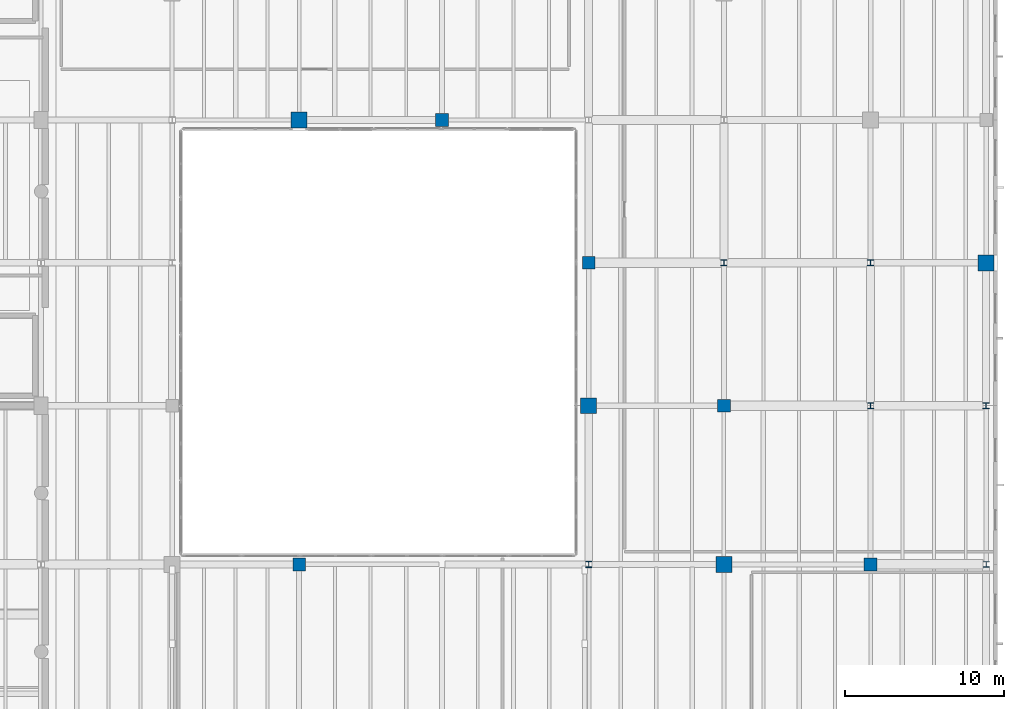
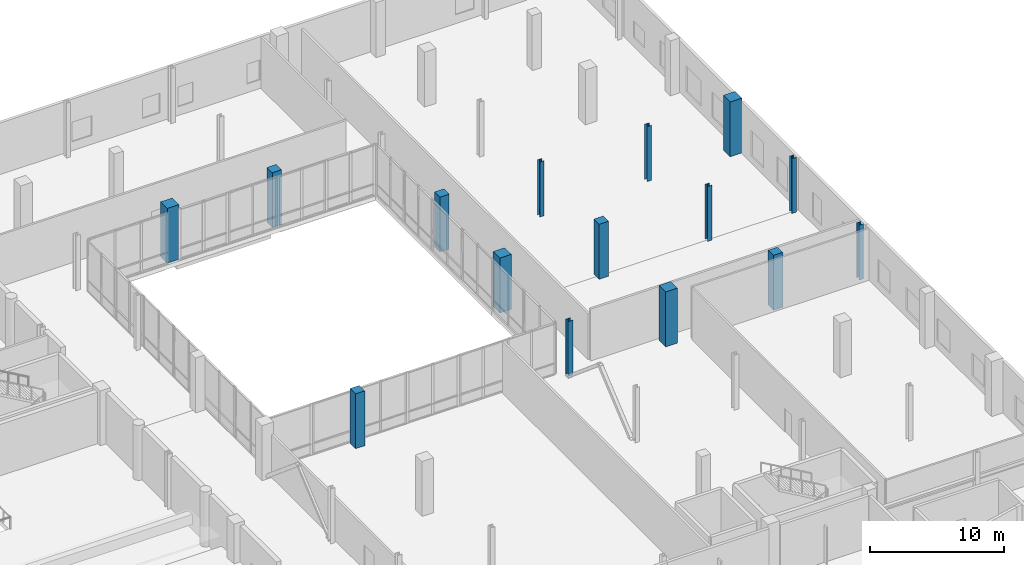
# One storey, part 15 of 88: 15 columns.
"""IFC4 building model written with IfcOpenShell, lengths in metres."""

from ifc_helpers import new_model, si_unit, direction, frame, origin, origin_2d, place, context, subcontext, project, spatial, rectangle, i_section, extrude, material, material_profile, profile_set, type_object, element, save


model = new_model("IFC4")

# Units and contexts
model_context = context("Model", 3, precision=1e-05, world=origin(), true_north=direction((0.0, 1.0)))
body_context = subcontext(model_context, "Body", "Model", "MODEL_VIEW")
ifc_project = project(units=[si_unit("LENGTHUNIT", "METRE"), si_unit("AREAUNIT", "SQUARE_METRE"), si_unit("VOLUMEUNIT", "CUBIC_METRE"), si_unit("PLANEANGLEUNIT", "RADIAN"), si_unit("MASSUNIT", "GRAM", prefix="KILO")], contexts=[model_context])

# Site, building, storey
site_placement = place(None, origin())
site = spatial("IfcSite", under=ifc_project, at=site_placement, CompositionType="ELEMENT")
building_placement = place(site_placement, origin())
building = spatial("IfcBuilding", under=site, at=building_placement, Name="Trimount Lyric Opera House", CompositionType="ELEMENT")
storey_placement = place(building_placement, origin())
storey = spatial("IfcBuildingStorey", under=building, at=storey_placement, Name="L00", CompositionType="ELEMENT", Elevation=0.0)

# Columns
ifc_material_1 = material(Name="Steel ASTM A992 Grade 50", Category="steel")
ifc_material_profile_1 = material_profile(ifc_material_1, i_section(OverallWidth=0.39892578125, OverallDepth=0.385986328125, WebThickness=0.02099609375, FlangeThickness=0.033203125, FilletRadius=0.01611328125, at=origin_2d()), Name="W14X176")
ifc_profile_set_1 = profile_set([ifc_material_profile_1], Name="Steel ASTM A992 Grade 50")
column_type_1 = type_object("IfcColumnType", Name="C-03", PredefinedType="COLUMN", material=ifc_profile_set_1)
for number, where, z_axis, x_axis, name in (
    (1, (148.239990234375, 74.0, 0.0), (0.0, 0.0, 1.0), (1.0, 0.0, 0.0), "L00 column 17/J"),
    (2, (166.0, 93.0, 0.0), (0.0, 0.0, 1.0), (1.0, 0.0, 0.0), "L00 column 19/L"),
    (3, (173.280029296875, 84.0, 0.0), (0.0, 0.0, 1.0), (1.0, 0.0, 0.0), "L00 column 20/K"),
):
    element("IfcColumn", number, at=place(storey_placement, frame(where, z_axis=z_axis, x_axis=x_axis)), inside=storey, type_object=column_type_1, Name=name, PredefinedType="COLUMN", context=body_context, shape_type="SweptSolid", body=[
        extrude(i_section(OverallWidth=0.39892578125, OverallDepth=0.385986328125, WebThickness=0.02099609375, FlangeThickness=0.033203125, FilletRadius=0.01611328125, at=origin_2d()), origin(), (0.0, 0.0, 1.0), 5.0),
    ])
ifc_material_2 = material(Name="Steel ASTM A992 Grade 50", Category="steel")
ifc_material_profile_2 = material_profile(ifc_material_2, i_section(OverallWidth=0.373046875, OverallDepth=0.367919921875, WebThickness=0.014892578125, FlangeThickness=0.02392578125, FilletRadius=0.014892578125, at=origin_2d()), Name="W14X120")
ifc_profile_set_2 = profile_set([ifc_material_profile_2], Name="Steel ASTM A992 Grade 50")
column_type_2 = type_object("IfcColumnType", Name="C-08", PredefinedType="COLUMN", material=ifc_profile_set_2)
for number, where, z_axis, x_axis, name in (
    (4, (156.760009765625, 93.0, 0.0), (0.0, 0.0, 1.0), (1.0, 0.0, 0.0), "L00 column 18/L"),
    (5, (166.0, 84.0, 0.0), (0.0, 0.0, 1.0), (1.0, 0.0, 0.0), "L00 column 19/K"),
    (6, (173.280029296875, 74.0, 0.0), (0.0, 0.0, 1.0), (1.0, 0.0, 0.0), "L00 column 20/J"),
):
    element("IfcColumn", number, at=place(storey_placement, frame(where, z_axis=z_axis, x_axis=x_axis)), inside=storey, type_object=column_type_2, Name=name, PredefinedType="COLUMN", context=body_context, shape_type="SweptSolid", body=[
        extrude(i_section(OverallWidth=0.373046875, OverallDepth=0.367919921875, WebThickness=0.014892578125, FlangeThickness=0.02392578125, FilletRadius=0.014892578125, at=origin_2d()), origin(), (0.0, 0.0, 1.0), 5.0),
    ])
ifc_material_3 = material(Name="Concrete C50/60", Category="concrete")
ifc_material_profile_3 = material_profile(ifc_material_3, rectangle(XDim=1.0, YDim=1.0, at=origin_2d()), Name="RC1000X1000")
ifc_profile_set_3 = profile_set([ifc_material_profile_3], Name="Concrete C50/60")
column_type_3 = type_object("IfcColumnType", Name="C-12", PredefinedType="COLUMN", material=ifc_profile_set_3)
for number, where, z_axis, x_axis, name in (
    (7, (130.0, 102.0, 0.0), (0.0, 0.0, 1.0), (1.0, 0.0, 0.0), "L00 column 15/M"),
    (8, (148.239990234375, 84.0, 0.0), (0.0, 0.0, 1.0), (1.0, 0.0, 0.0), "L00 column 17/K"),
    (9, (156.760009765625, 74.0, 0.0), (0.0, 0.0, 1.0), (1.0, 0.0, 0.0), "L00 column 18/J"),
    (10, (173.280029296875, 93.0, 0.0), (0.0, 0.0, 1.0), (1.0, 0.0, 0.0), "L00 column 20/L"),
):
    element("IfcColumn", number, at=place(storey_placement, frame(where, z_axis=z_axis, x_axis=x_axis)), inside=storey, type_object=column_type_3, Name=name, PredefinedType="COLUMN", context=body_context, shape_type="SweptSolid", body=[
        extrude(rectangle(XDim=1.0, YDim=1.0, at=origin_2d()), origin(), (0.0, 0.0, 1.0), 5.0),
    ])
ifc_material_4 = material(Name="Concrete C40/50", Category="concrete")
ifc_material_profile_4 = material_profile(ifc_material_4, rectangle(XDim=0.800048828125, YDim=0.800048828125, at=origin_2d()), Name="RC800X800")
ifc_profile_set_4 = profile_set([ifc_material_profile_4], Name="Concrete C40/50")
column_type_4 = type_object("IfcColumnType", Name="C-14", PredefinedType="COLUMN", material=ifc_profile_set_4)
for number, where, z_axis, x_axis, name in (
    (11, (130.0, 74.0, 0.0), (0.0, 0.0, 1.0), (1.0, 0.0, 0.0), "L00 column 15/J"),
    (12, (139.0, 102.0, 0.0), (0.0, 0.0, 1.0), (1.0, 0.0, 0.0), "L00 column 16/M"),
    (13, (148.239990234375, 93.0, 0.0), (0.0, 0.0, 1.0), (1.0, 0.0, 0.0), "L00 column 17/L"),
    (14, (156.760009765625, 84.0, 0.0), (0.0, 0.0, 1.0), (1.0, 0.0, 0.0), "L00 column 18/K"),
    (15, (166.0, 74.0, 0.0), (0.0, 0.0, 1.0), (1.0, 0.0, 0.0), "L00 column 19/J"),
):
    element("IfcColumn", number, at=place(storey_placement, frame(where, z_axis=z_axis, x_axis=x_axis)), inside=storey, type_object=column_type_4, Name=name, PredefinedType="COLUMN", context=body_context, shape_type="SweptSolid", body=[
        extrude(rectangle(XDim=0.800048828125, YDim=0.800048828125, at=origin_2d()), origin(), (0.0, 0.0, 1.0), 5.0),
    ])

save(model, "model.ifc")
